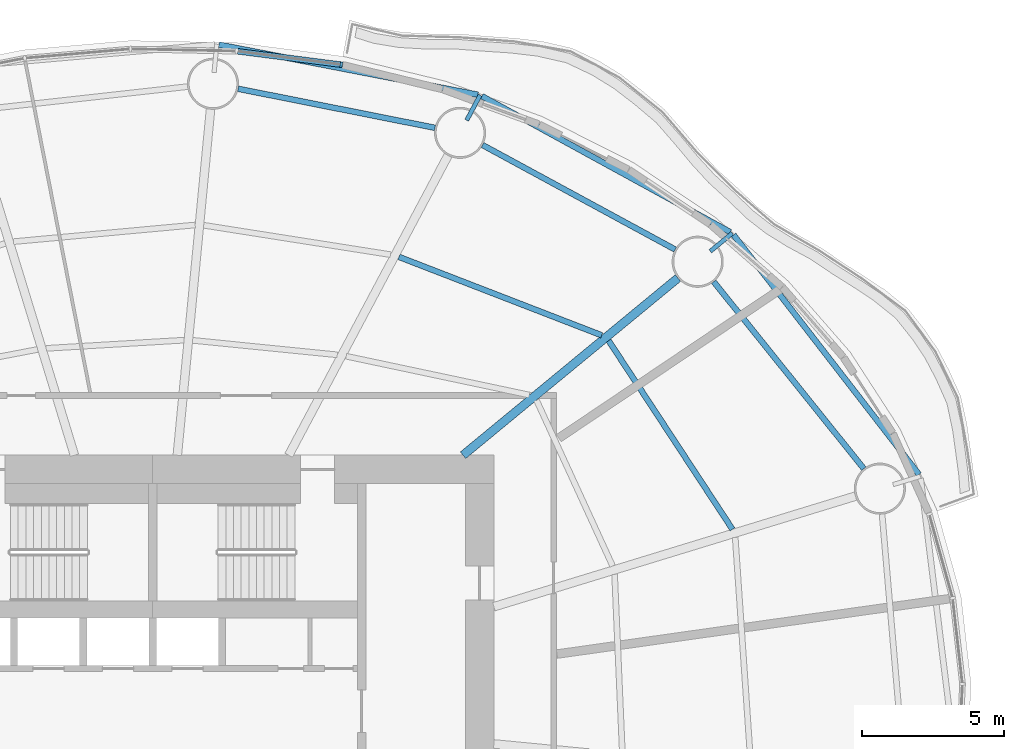
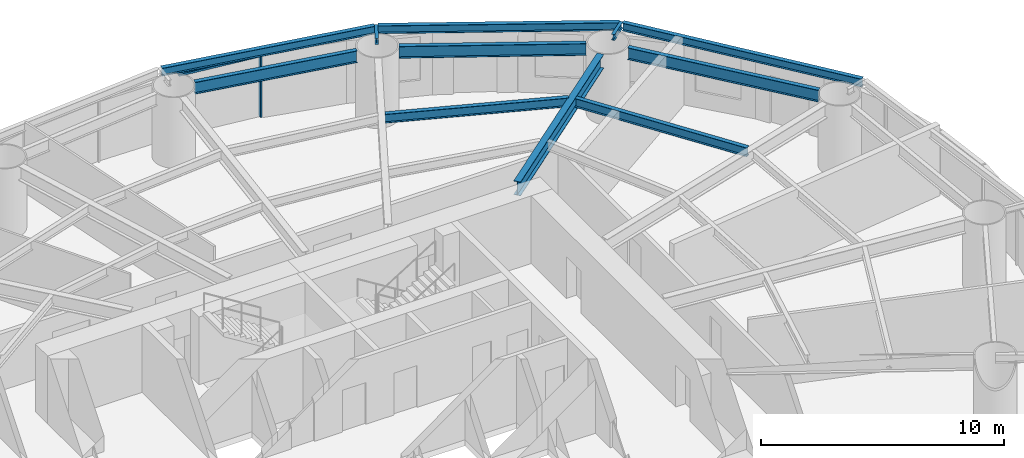
# One storey, part 6 of 16: 11 beams, 2 members, 1 element without a shape of its own.
"""IFC4 building model written with IfcOpenShell, lengths in metres."""

from ifc_helpers import new_model, si_unit, direction, frame, origin, origin_2d, place, context, subcontext, project, spatial, rectangle, i_section, extrude, material, material_profile, profile_set, type_object, element, aggregate, save


model = new_model("IFC4")

# Units and contexts
model_context = context("Model", 3, precision=1e-05, world=origin(), true_north=direction((0.0, 1.0)))
body_context = subcontext(model_context, "Body", "Model", "MODEL_VIEW")
ifc_project = project(units=[si_unit("LENGTHUNIT", "METRE"), si_unit("AREAUNIT", "SQUARE_METRE"), si_unit("VOLUMEUNIT", "CUBIC_METRE"), si_unit("PLANEANGLEUNIT", "RADIAN"), si_unit("MASSUNIT", "GRAM", prefix="KILO")], contexts=[model_context])

# Site, building, storey
site_placement = place(None, origin())
site = spatial("IfcSite", under=ifc_project, at=site_placement, CompositionType="ELEMENT")
building_placement = place(site_placement, origin())
building = spatial("IfcBuilding", under=site, at=building_placement, Name="Vermilion Reach Broadcast Tower", CompositionType="ELEMENT")
storey_placement = place(building_placement, frame((0.0, 0.0, 43.39990234375)))
storey = spatial("IfcBuildingStorey", under=building, at=storey_placement, Name="L07", CompositionType="ELEMENT", Elevation=43.39990234375)

# Beams
ifc_material_1 = material(Name="Steel S355J2", Category="steel")
ifc_material_profile_1 = material_profile(ifc_material_1, i_section(OverallWidth=0.199951171875, OverallDepth=0.39990234375, WebThickness=0.008056640625, FlangeThickness=0.012939453125, at=origin_2d()), Name="S355J2 HN 400x200x8x13")
ifc_profile_set_1 = profile_set([ifc_material_profile_1], Name="Steel S355J2")
beam_type_1 = type_object("IfcBeamType", Name="EB1 HN 400x200x8x13", PredefinedType="BEAM", material=ifc_profile_set_1)
beam_1_placement = place(storey_placement, frame((20.9501953125, 8.322998046875, 3.35009765625), z_axis=(-0.612073363267, 0.790800985065, 0.0), x_axis=(-0.790800985065, -0.612073363267, 0.0)))
element("IfcBeam", 1, at=beam_1_placement, inside=storey, type_object=beam_type_1, Name="Edge beam EB1-01", PredefinedType="BEAM", context=body_context, shape_type="SweptSolid", body=[
    extrude(i_section(OverallWidth=0.199951171875, OverallDepth=0.39990234375, WebThickness=0.008056640625, FlangeThickness=0.012939453125, at=origin_2d()), origin(), (0.0, 0.0, 1.0), 10.65478515625),
])
beam_2_placement = place(storey_placement, frame((14.311767578125, 16.846923828125, 3.35009765625), z_axis=(-0.877128736465, 0.480255327579, 0.0), x_axis=(-0.480255327579, -0.877128736465, 0.0)))
element("IfcBeam", 2, at=beam_2_placement, inside=storey, type_object=beam_type_1, Name="Edge beam EB1-02", PredefinedType="BEAM", context=body_context, shape_type="SweptSolid", body=[
    extrude(i_section(OverallWidth=0.199951171875, OverallDepth=0.39990234375, WebThickness=0.008056640625, FlangeThickness=0.012939453125, at=origin_2d()), origin(), (0.0, 0.0, 1.0), 9.955078125),
])
beam_3_placement = place(storey_placement, frame((5.43701171875, 21.6787109375, 3.35009765625), z_axis=(-0.981810718758, 0.189862351537, 0.0), x_axis=(-0.189862351537, -0.981810718758, 0.0)))
element("IfcBeam", 3, at=beam_3_placement, inside=storey, type_object=beam_type_1, Name="Edge beam EB1-03", PredefinedType="BEAM", context=body_context, shape_type="SweptSolid", body=[
    extrude(i_section(OverallWidth=0.199951171875, OverallDepth=0.39990234375, WebThickness=0.008056640625, FlangeThickness=0.012939453125, at=origin_2d()), origin(), (0.0, 0.0, 1.0), 9.277587890625),
])
ifc_material_2 = material(Name="Steel S355J2", Category="steel")
ifc_material_profile_2 = material_profile(ifc_material_2, i_section(OverallWidth=0.300048828125, OverallDepth=0.699951171875, WebThickness=0.012939453125, FlangeThickness=0.02392578125, at=origin_2d()), Name="S355J2 HN 700x300x13x24")
ifc_profile_set_2 = profile_set([ifc_material_profile_2], Name="Steel S355J2")
beam_type_2 = type_object("IfcBeamType", Name="G1 HN 700x300x13x24", PredefinedType="BEAM", material=ifc_profile_set_2)
beam_4_placement = place(storey_placement, frame((4.9140625, 9.0, 3.2001953125), z_axis=(0.771514256373, 0.636212034005, 0.0), x_axis=(-0.636212034005, 0.771514256373, 0.0)))
element("IfcBeam", 4, at=beam_4_placement, inside=storey, type_object=beam_type_2, Name="Girder G1-02", PredefinedType="BEAM", context=body_context, shape_type="SweptSolid", body=[
    extrude(i_section(OverallWidth=0.300048828125, OverallDepth=0.699951171875, WebThickness=0.012939453125, FlangeThickness=0.02392578125, at=origin_2d()), origin(), (0.0, 0.0, 1.0), 9.796142578125),
])
ifc_material_3 = material(Name="Steel S355J2", Category="steel")
ifc_material_profile_3 = material_profile(ifc_material_3, i_section(OverallWidth=0.14990234375, OverallDepth=0.300048828125, WebThickness=0.006591796875, FlangeThickness=0.009033203125, at=origin_2d()), Name="S355J2 HN 300x150x6.5x9")
ifc_profile_set_3 = profile_set([ifc_material_profile_3], Name="Steel S355J2")
beam_type_3 = type_object("IfcBeamType", Name="GS1 HN 300x150x6.5x9", PredefinedType="BEAM", material=ifc_profile_set_3)
beam_5_placement = place(storey_placement, frame((13.611083984375, 16.171875, 3.400146484375), z_axis=(0.77159191305, 0.636117850493, 0.0), x_axis=(-0.636117850493, 0.77159191305, 0.0)))
element("IfcBeam", 5, at=beam_5_placement, inside=storey, type_object=beam_type_3, Name="Cantilever stub GS1-02", PredefinedType="BEAM", context=body_context, shape_type="SweptSolid", body=[
    extrude(i_section(OverallWidth=0.14990234375, OverallDepth=0.300048828125, WebThickness=0.006591796875, FlangeThickness=0.009033203125, at=origin_2d()), origin(), (0.0, 0.0, 1.0), 1.000244140625),
])
beam_6_placement = place(storey_placement, frame((5.044677734375, 20.78076171875, 3.400146484375), z_axis=(0.469434829463, 0.882967123333, 0.0), x_axis=(-0.882967123333, 0.469434829463, 0.0)))
element("IfcBeam", 6, at=beam_6_placement, inside=storey, type_object=beam_type_3, Name="Cantilever stub GS1-03", PredefinedType="BEAM", context=body_context, shape_type="SweptSolid", body=[
    extrude(i_section(OverallWidth=0.14990234375, OverallDepth=0.300048828125, WebThickness=0.006591796875, FlangeThickness=0.009033203125, at=origin_2d()), origin(), (0.0, 0.0, 1.0), 1.0),
])
ifc_material_4 = material(Name="Steel S355J2", Category="steel")
ifc_material_profile_4 = material_profile(ifc_material_4, i_section(OverallWidth=0.199951171875, OverallDepth=0.60009765625, WebThickness=0.010986328125, FlangeThickness=0.01708984375, at=origin_2d()), Name="S355J2 HN 600x200x11x17")
ifc_profile_set_4 = profile_set([ifc_material_profile_4], Name="Steel S355J2")
beam_type_4 = type_object("IfcBeamType", Name="RB1 HN 600x200x11x17", PredefinedType="BEAM", material=ifc_profile_set_4)
beam_7_placement = place(storey_placement, frame((19.011962890625, 8.52587890625, 3.25), z_axis=(-0.626162157191, 0.779692858055, 0.0), x_axis=(-0.779692858055, -0.626162157191, 0.0)))
element("IfcBeam", 7, at=beam_7_placement, inside=storey, type_object=beam_type_4, Name="Ring beam RB1-01", PredefinedType="BEAM", context=body_context, shape_type="SweptSolid", body=[
    extrude(i_section(OverallWidth=0.199951171875, OverallDepth=0.60009765625, WebThickness=0.010986328125, FlangeThickness=0.01708984375, at=origin_2d()), origin(), (0.0, 0.0, 1.0), 8.435791015625),
])
beam_8_placement = place(storey_placement, frame((12.375244140625, 16.234130859375, 3.25), z_axis=(-0.878962319551, 0.476891225344, 0.0), x_axis=(-0.476891225344, -0.878962319551, 0.0)))
element("IfcBeam", 8, at=beam_8_placement, inside=storey, type_object=beam_type_4, Name="Ring beam RB1-02", PredefinedType="BEAM", context=body_context, shape_type="SweptSolid", body=[
    extrude(i_section(OverallWidth=0.199951171875, OverallDepth=0.60009765625, WebThickness=0.010986328125, FlangeThickness=0.01708984375, at=origin_2d()), origin(), (0.0, 0.0, 1.0), 7.707275390625),
])
beam_9_placement = place(storey_placement, frame((3.927001953125, 20.51416015625, 3.25), z_axis=(-0.980857717995, 0.194725799651, 0.0), x_axis=(-0.194725799651, -0.980857717995, 0.0)))
element("IfcBeam", 9, at=beam_9_placement, inside=storey, type_object=beam_type_4, Name="Ring beam RB1-03", PredefinedType="BEAM", context=body_context, shape_type="SweptSolid", body=[
    extrude(i_section(OverallWidth=0.199951171875, OverallDepth=0.60009765625, WebThickness=0.010986328125, FlangeThickness=0.01708984375, at=origin_2d()), origin(), (0.0, 0.0, 1.0), 7.05859375),
])
ifc_material_5 = material(Name="Steel S355J2", Category="steel")
ifc_material_profile_5 = material_profile(ifc_material_5, i_section(OverallWidth=0.199951171875, OverallDepth=0.449951171875, WebThickness=0.009033203125, FlangeThickness=0.013916015625, at=origin_2d()), Name="S355J2 HN 450x200x9x14")
ifc_profile_set_5 = profile_set([ifc_material_profile_5], Name="Steel S355J2")
beam_type_5 = type_object("IfcBeamType", Name="SB1 HN 450x200x9x14", PredefinedType="BEAM", material=ifc_profile_set_5)
beam_10_placement = place(storey_placement, frame((14.390625, 6.394775390625, 3.3251953125), z_axis=(-0.548800909102, 0.835953086105, 0.0), x_axis=(-0.835953086105, -0.548800909102, 0.0)))
element("IfcBeam", 10, at=beam_10_placement, inside=storey, type_object=beam_type_5, Name="Secondary beam SB1-01-2", PredefinedType="BEAM", context=body_context, shape_type="SweptSolid", body=[
    extrude(i_section(OverallWidth=0.199951171875, OverallDepth=0.449951171875, WebThickness=0.009033203125, FlangeThickness=0.013916015625, at=origin_2d()), origin(), (0.0, 0.0, 1.0), 7.935791015625),
])
beam_11_placement = place(storey_placement, frame((9.7919921875, 13.217041015625, 3.3251953125), z_axis=(-0.932680743753, 0.360702966765, 0.0), x_axis=(-0.360702966765, -0.932680743753, 0.0)))
element("IfcBeam", 11, at=beam_11_placement, inside=storey, type_object=beam_type_5, Name="Secondary beam SB1-02-2", PredefinedType="BEAM", context=body_context, shape_type="SweptSolid", body=[
    extrude(i_section(OverallWidth=0.199951171875, OverallDepth=0.449951171875, WebThickness=0.009033203125, FlangeThickness=0.013916015625, at=origin_2d()), origin(), (0.0, 0.0, 1.0), 7.646240234375),
])

# Curtain wall, members
ifc_material_6 = material(Name="Low-e laminated clear glass in aluminium frame", Category="aluminium")
curtain_wall_type = type_object("IfcCurtainWallType", Name="Slot curtain wall", PredefinedType="NOTDEFINED", material=ifc_material_6)
curtain_wall_placement = place(storey_placement, origin())
curtain_wall = element("IfcCurtainWall", 12, at=curtain_wall_placement, inside=storey, type_object=curtain_wall_type, Name="Slot curtain wall L07 10", PredefinedType="NOTDEFINED")
ifc_material_7 = material(Name="Anodised aluminium", Category="aluminium")
ifc_material_profile_6 = material_profile(ifc_material_7, rectangle(XDim=0.199951171875, YDim=0.080078125, at=origin_2d()), Name="Slot mullion 80 x 200")
ifc_profile_set_6 = profile_set([ifc_material_profile_6], Name="Anodised aluminium")
member_type_1 = type_object("IfcMemberType", Name="Slot mullion 80 x 200", PredefinedType="MULLION", material=ifc_profile_set_6)
member_1_placement = place(storey_placement, frame((0.631103515625, 22.73583984375, 0.0), z_axis=(0.0, 0.0, 1.0), x_axis=(-0.181909397555, -0.983315295865, 0.0)))
member_1 = element("IfcMember", 13, at=member_1_placement, type_object=member_type_1, Name="Slot mullion L07 10", PredefinedType="MULLION", context=body_context, shape_type="SweptSolid", body=[
    extrude(rectangle(XDim=0.199951171875, YDim=0.080078125, at=origin_2d()), origin(), (0.0, 0.0, 1.0), 3.150146484375),
])
ifc_material_8 = material(Name="Anodised aluminium", Category="aluminium")
ifc_material_profile_7 = material_profile(ifc_material_8, rectangle(XDim=0.199951171875, YDim=0.10009765625, at=origin_2d()), Name="Slot transom 200 x 100")
ifc_profile_set_7 = profile_set([ifc_material_profile_7], Name="Anodised aluminium")
member_type_2 = type_object("IfcMemberType", Name="Slot transom 200 x 100", PredefinedType="USERDEFINED", material=ifc_profile_set_7)
member_2_placement = place(storey_placement, frame((0.59130859375, 22.740966796875, 3.10009765625), z_axis=(-0.991804275658, 0.127766501034, 0.0), x_axis=(-0.127766501034, -0.991804275658, 0.0)))
member_2 = element("IfcMember", 14, at=member_2_placement, type_object=member_type_2, Name="Slot transom L07 10.1", ObjectType="TRANSOM", PredefinedType="USERDEFINED", context=body_context, shape_type="SweptSolid", body=[
    extrude(rectangle(XDim=0.199951171875, YDim=0.10009765625, at=origin_2d()), origin(), (0.0, 0.0, 1.0), 3.630615234375),
])
aggregate(curtain_wall, [member_1, member_2])

save(model, "model.ifc")
